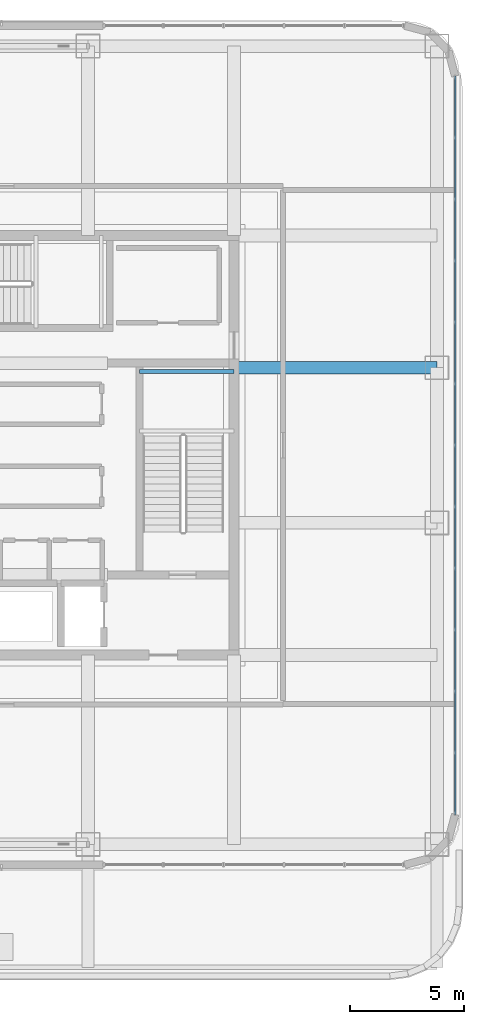
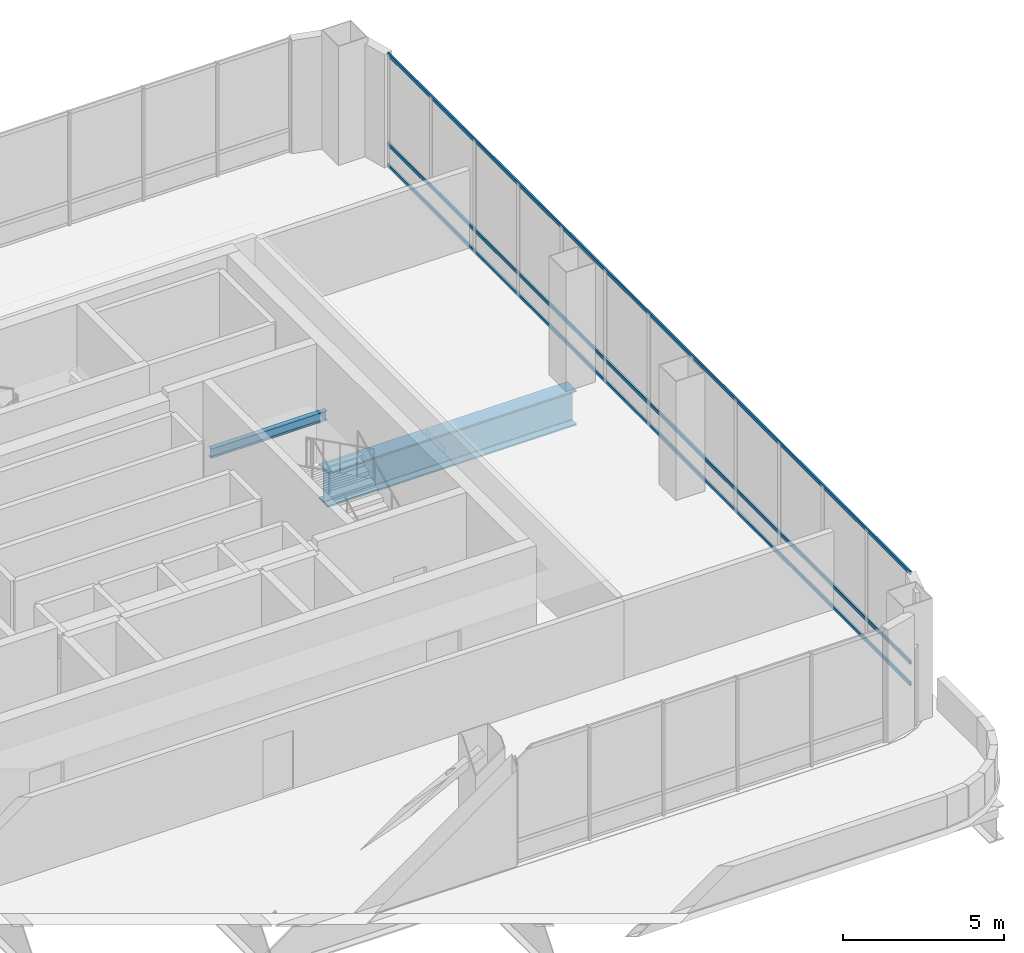
# One storey, part 17 of 33: 3 members, 2 beams, 1 element without a shape of its own.
"""IFC4 building model written with IfcOpenShell, lengths in metres."""

from ifc_helpers import new_model, si_unit, direction, frame, origin, origin_2d, place, context, subcontext, project, spatial, hollow_rectangle, i_section, extrude, material, material_profile, profile_set, type_object, element, aggregate, save


model = new_model("IFC4")

# Units and contexts
model_context = context("Model", 3, precision=1e-05, world=origin(), true_north=direction((0.0, 1.0)))
body_context = subcontext(model_context, "Body", "Model", "MODEL_VIEW")
ifc_project = project(units=[si_unit("LENGTHUNIT", "METRE"), si_unit("AREAUNIT", "SQUARE_METRE"), si_unit("VOLUMEUNIT", "CUBIC_METRE"), si_unit("PLANEANGLEUNIT", "RADIAN"), si_unit("MASSUNIT", "GRAM", prefix="KILO")], contexts=[model_context])

# Site, building, storey
site_placement = place(None, origin())
site = spatial("IfcSite", under=ifc_project, at=site_placement, CompositionType="ELEMENT")
building_placement = place(site_placement, origin())
building = spatial("IfcBuilding", under=site, at=building_placement, Name="Punatoya Terracotta Tower", CompositionType="ELEMENT")
storey_placement = place(building_placement, frame((0.0, 0.0, 343.800048828125)))
storey = spatial("IfcBuildingStorey", under=building, at=storey_placement, Name="L81", CompositionType="ELEMENT", Elevation=343.800048828125)

# Beams
ifc_material_1 = material(Name="Steel S355", Category="steel")
ifc_material_profile_1 = material_profile(ifc_material_1, i_section(OverallWidth=0.169921875, OverallDepth=0.360107421875, WebThickness=0.008056640625, FlangeThickness=0.0126953125, FilletRadius=0.01806640625, at=origin_2d()))
ifc_profile_set_1 = profile_set([ifc_material_profile_1], Name="Steel S355")
beam_type_1 = type_object("IfcBeamType", Name="BM-SEC-360", PredefinedType="JOIST", material=ifc_profile_set_1)
beam_1_placement = place(storey_placement, frame((6.050048828125, 3.22998046875, 1.869873046875), z_axis=(1.0, 0.0, 0.0), x_axis=(0.0, 1.0, 0.0)))
element("IfcBeam", 1, at=beam_1_placement, inside=storey, type_object=beam_type_1, Name="BM-L81-ST-2-LD1B", PredefinedType="JOIST", context=body_context, shape_type="SweptSolid", body=[
    extrude(i_section(OverallWidth=0.169921875, OverallDepth=0.360107421875, WebThickness=0.008056640625, FlangeThickness=0.0126953125, FilletRadius=0.01806640625, at=origin_2d()), origin(), (0.0, 0.0, 1.0), 4.14990234375),
])
ifc_material_2 = material(Name="Steel S460", Category="steel")
ifc_material_profile_2 = material_profile(ifc_material_2, i_section(OverallWidth=0.56005859375, OverallDepth=1.320068359375, WebThickness=0.035888671875, FlangeThickness=0.054931640625, FilletRadius=0.01806640625, at=origin_2d()))
ifc_profile_set_2 = profile_set([ifc_material_profile_2], Name="Steel S460")
beam_type_2 = type_object("IfcBeamType", Name="BM-TG-BLK", PredefinedType="BEAM", material=ifc_profile_set_2)
beam_2_placement = place(storey_placement, frame((10.199951171875, 3.39990234375, -0.93994140625), z_axis=(1.0, 0.0, 0.0), x_axis=(0.0, 1.0, 0.0)))
element("IfcBeam", 2, at=beam_2_placement, inside=storey, type_object=beam_type_2, Name="BM-L81-PR-EE", PredefinedType="BEAM", context=body_context, shape_type="SweptSolid", body=[
    extrude(i_section(OverallWidth=0.56005859375, OverallDepth=1.320068359375, WebThickness=0.035888671875, FlangeThickness=0.054931640625, FilletRadius=0.01806640625, at=origin_2d()), origin(), (0.0, 0.0, 1.0), 8.900146484375),
])

# Curtain wall, members
ifc_material_3 = material(Name="Aluminium 6063-T6 + Double Low-E Glass", Category="aluminium")
curtain_wall_type = type_object("IfcCurtainWallType", Name="CW-CRN", PredefinedType="NOTDEFINED", material=ifc_material_3)
curtain_wall_placement = place(storey_placement, origin())
curtain_wall = element("IfcCurtainWall", 3, at=curtain_wall_placement, inside=storey, type_object=curtain_wall_type, Name="L81 Curtain Wall CW-L81-E05-1", PredefinedType="NOTDEFINED")
ifc_material_4 = material(Name="Aluminium 6063-T6", Category="aluminium")
ifc_material_profile_3 = material_profile(ifc_material_4, hollow_rectangle(XDim=0.06201171875, YDim=0.135009765625, WallThickness=0.00390625, at=origin_2d()))
ifc_profile_set_3 = profile_set([ifc_material_profile_3], Name="Aluminium 6063-T6")
member_type = type_object("IfcMemberType", Name="CW-TRN-CRN", PredefinedType="USERDEFINED", material=ifc_profile_set_3)
member_1_placement = place(storey_placement, frame((19.89990234375, -16.18701171875, 0.0400390625), z_axis=(0.0, 1.0, 0.0), x_axis=(-1.0, 0.0, 0.0)))
member_1 = element("IfcMember", 4, at=member_1_placement, type_object=member_type, Name="CW-L81-E05-1 Transom 1", ObjectType="TRANSOM", PredefinedType="USERDEFINED", context=body_context, shape_type="SweptSolid", body=[
    extrude(hollow_rectangle(XDim=0.06201171875, YDim=0.135009765625, WallThickness=0.00390625, at=origin_2d()), origin(), (0.0, 0.0, 1.0), 32.3740234375),
])
member_2_placement = place(storey_placement, frame((19.89990234375, -16.18701171875, 0.849853515625), z_axis=(0.0, 1.0, 0.0), x_axis=(-1.0, 0.0, 0.0)))
member_2 = element("IfcMember", 5, at=member_2_placement, type_object=member_type, Name="CW-L81-E05-1 Transom 2", ObjectType="TRANSOM", PredefinedType="USERDEFINED", context=body_context, shape_type="SweptSolid", body=[
    extrude(hollow_rectangle(XDim=0.06201171875, YDim=0.135009765625, WallThickness=0.00390625, at=origin_2d()), origin(), (0.0, 0.0, 1.0), 32.3740234375),
])
member_3_placement = place(storey_placement, frame((19.89990234375, -16.18701171875, 4.239990234375), z_axis=(0.0, 1.0, 0.0), x_axis=(-1.0, 0.0, 0.0)))
member_3 = element("IfcMember", 6, at=member_3_placement, type_object=member_type, Name="CW-L81-E05-1 Transom 3", ObjectType="TRANSOM", PredefinedType="USERDEFINED", context=body_context, shape_type="SweptSolid", body=[
    extrude(hollow_rectangle(XDim=0.06201171875, YDim=0.135009765625, WallThickness=0.00390625, at=origin_2d()), origin(), (0.0, 0.0, 1.0), 32.3740234375),
])
aggregate(curtain_wall, [member_1, member_2, member_3])

save(model, "model.ifc")
